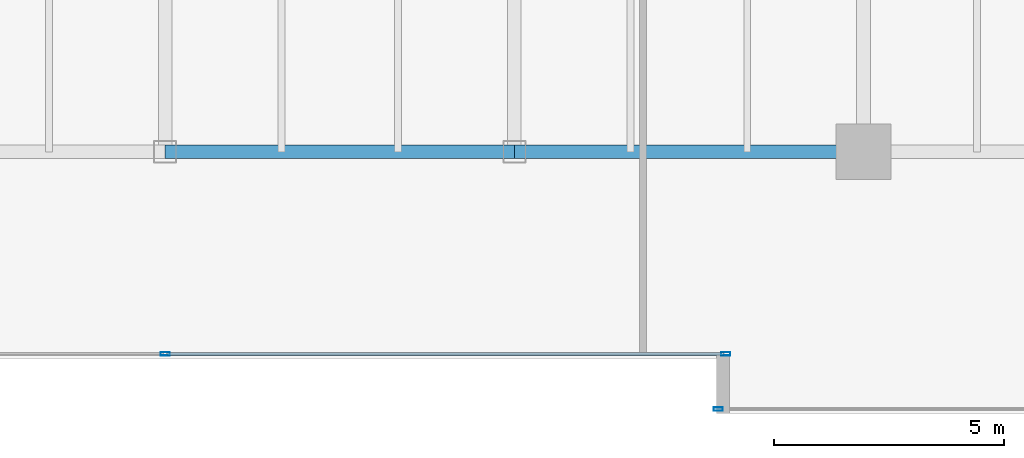
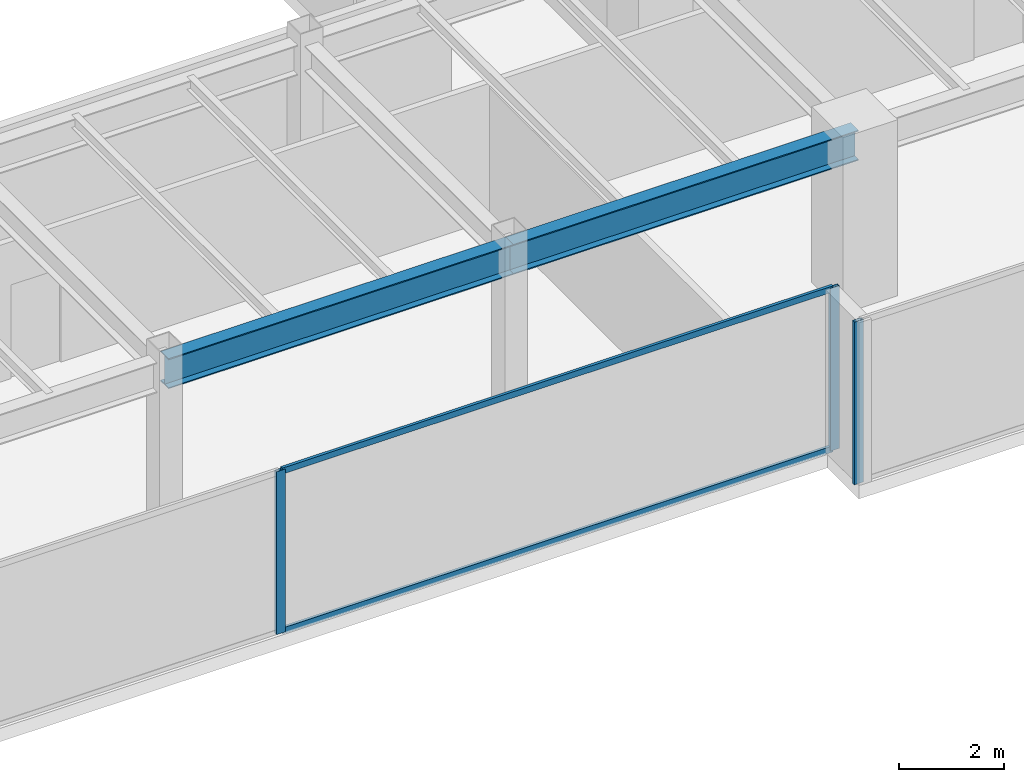
# One storey, part 10 of 31: 5 members, 2 beams, 2 elements without a shape of their own.
"""IFC4 building model written with IfcOpenShell, lengths in metres."""

from ifc_helpers import new_model, si_unit, direction, frame, origin, origin_2d, place, context, subcontext, project, spatial, hollow_rectangle, i_section, extrude, source, transform, mapped, material, layer, layer_set, material_profile, profile_set, type_object, type_shapes, element, aggregate, save


model = new_model("IFC4")

# Units and contexts
model_context = context("Model", 3, precision=1e-05, world=origin(), true_north=direction((0.0, 1.0)))
body_context = subcontext(model_context, "Body", "Model", "MODEL_VIEW")
ifc_project = project(units=[si_unit("LENGTHUNIT", "METRE"), si_unit("AREAUNIT", "SQUARE_METRE"), si_unit("VOLUMEUNIT", "CUBIC_METRE"), si_unit("PLANEANGLEUNIT", "RADIAN"), si_unit("MASSUNIT", "GRAM", prefix="KILO")], contexts=[model_context])

# Site, building, storey
site_placement = place(None, origin())
site = spatial("IfcSite", under=ifc_project, at=site_placement, CompositionType="ELEMENT")
building_placement = place(site_placement, origin())
building = spatial("IfcBuilding", under=site, at=building_placement, Name="Haelvirn Gate Laboratories", CompositionType="ELEMENT")
storey_placement = place(building_placement, frame((0.0, 0.0, 150.199951171875)))
storey = spatial("IfcBuildingStorey", under=building, at=storey_placement, Name="L36", CompositionType="ELEMENT", Elevation=150.199951171875)

# Beams
ifc_material_1 = material(Name="Steel SM355", Category="steel")
ifc_material_profile_1 = material_profile(ifc_material_1, i_section(OverallWidth=0.300048828125, OverallDepth=0.699951171875, WebThickness=0.012939453125, FlangeThickness=0.02392578125, at=origin_2d()), Name="H-700x300x13x24")
ifc_profile_set_1 = profile_set([ifc_material_profile_1], Name="Steel SM355")
beam_type = type_object("IfcBeamType", Name="BM-G-700", PredefinedType="BEAM", material=ifc_profile_set_1)
shared_shape_1 = source(origin(), body_context, "Body", "SweptSolid", [
    extrude(i_section(OverallWidth=0.300048828125, OverallDepth=0.699951171875, WebThickness=0.012939453125, FlangeThickness=0.02392578125, at=origin_2d()), origin(), (0.0, 0.0, 1.0), 7.60009765625),
])
type_shapes(beam_type, [shared_shape_1])
for number, where, z_axis, x_axis, name in (
    (1, (37.39990234375, 7.0, 3.43994140625), (1.0, 0.0, 0.0), (0.0, 1.0, 0.0), "L36 Primary Girder Y7.0 (37.4-45.0)"),
    (2, (45.0, 7.0, 3.43994140625), (1.0, 0.0, 0.0), (0.0, 1.0, 0.0), "L36 Primary Girder Y7.0 (45.0-52.6)"),
):
    element("IfcBeam", number, at=place(storey_placement, frame(where, z_axis=z_axis, x_axis=x_axis)), inside=storey, type_object=beam_type, Name=name, PredefinedType="BEAM", context=body_context, shape_type="MappedRepresentation", body=[
        mapped(shared_shape_1, transform((0.0, 0.0, 0.0), scale=1.0)),
    ])

# Curtain wall, members
ifc_material_2 = material(Name="Anodised bronze unitised aluminium & triple low-E glass", Category="aluminium")
ifc_layer = layer(ifc_material_2, 0.179931640625, Name="CW-SYS-3")
ifc_layer_set = layer_set([ifc_layer], Name="Anodised bronze unitised aluminium & triple low-E glass")
curtain_wall_type = type_object("IfcCurtainWallType", Name="CW-SYS-3", PredefinedType="NOTDEFINED", material=ifc_layer_set)
curtain_wall_1_placement = place(storey_placement, origin())
curtain_wall_1 = element("IfcCurtainWall", 3, at=curtain_wall_1_placement, inside=storey, type_object=curtain_wall_type, Name="L36 Unitised Curtain Wall CW-L36-P0-E02-1", PredefinedType="NOTDEFINED")
ifc_material_3 = material(Name="Extruded aluminium 6063-T6 (anodised bronze)", Category="aluminium")
ifc_material_profile_2 = material_profile(ifc_material_3, hollow_rectangle(XDim=0.06494140625, YDim=0.139892578125, WallThickness=0.00390625, at=origin_2d()), Name="CWT-140x65x4")
ifc_profile_set_2 = profile_set([ifc_material_profile_2], Name="Extruded aluminium 6063-T6 (anodised bronze)")
member_type_1 = type_object("IfcMemberType", Name="CWT-T140", PredefinedType="USERDEFINED", material=ifc_profile_set_2)
shared_shape_2 = source(origin(), body_context, "Body", "SweptSolid", [
    extrude(hollow_rectangle(XDim=0.06494140625, YDim=0.139892578125, WallThickness=0.00390625, at=origin_2d()), origin(), (0.0, 0.0, 1.0), 12.12744140625),
])
type_shapes(member_type_1, [shared_shape_2])
member_1_placement = place(storey_placement, frame((37.4375, 2.60009765625, 0.032470703125), z_axis=(1.0, 0.0, 0.0), x_axis=(0.0, 1.0, 0.0)))
member_1 = element("IfcMember", 4, at=member_1_placement, type_object=member_type_1, Name="CW3 transom 2.1", ObjectType="TRANSOM", PredefinedType="USERDEFINED", context=body_context, shape_type="MappedRepresentation", body=[
    mapped(shared_shape_2, transform((0.0, 0.0, 0.0), scale=1.0)),
])
member_2_placement = place(storey_placement, frame((37.4375, 2.60009765625, 3.757568359375), z_axis=(1.0, 0.0, 0.0), x_axis=(0.0, 1.0, 0.0)))
member_2 = element("IfcMember", 5, at=member_2_placement, type_object=member_type_1, Name="CW3 transom 2.2", ObjectType="TRANSOM", PredefinedType="USERDEFINED", context=body_context, shape_type="MappedRepresentation", body=[
    mapped(shared_shape_2, transform((0.0, 0.0, 0.0), scale=1.0)),
])
ifc_material_profile_3 = material_profile(ifc_material_3, hollow_rectangle(XDim=0.074951171875, YDim=0.199951171875, WallThickness=0.0048828125, at=origin_2d()), Name="CWM-200x75x5")
ifc_profile_set_3 = profile_set([ifc_material_profile_3], Name="Extruded aluminium 6063-T6 (anodised bronze)")
member_type_2 = type_object("IfcMemberType", Name="CWM-T200", PredefinedType="MULLION", material=ifc_profile_set_3)
shared_shape_3 = source(origin(), body_context, "Body", "SweptSolid", [
    extrude(hollow_rectangle(XDim=0.074951171875, YDim=0.199951171875, WallThickness=0.0048828125, at=origin_2d()), origin(), (0.0, 0.0, 1.0), 3.7900390625),
])
type_shapes(member_type_2, [shared_shape_3])
member_3_placement = place(storey_placement, frame((37.39990234375, 2.60009765625, 0.0), z_axis=(0.0, 0.0, 1.0), x_axis=(0.0, 1.0, 0.0)))
member_3 = element("IfcMember", 6, at=member_3_placement, type_object=member_type_2, Name="CW3 mullion 2", PredefinedType="MULLION", context=body_context, shape_type="MappedRepresentation", body=[
    mapped(shared_shape_3, transform((0.0, 0.0, 0.0), scale=1.0)),
])
member_4_placement = place(storey_placement, frame((49.6025390625, 2.60009765625, 0.0), z_axis=(0.0, 0.0, 1.0), x_axis=(0.0, 1.0, 0.0)))
member_4 = element("IfcMember", 7, at=member_4_placement, type_object=member_type_2, Name="CW3 mullion 3", PredefinedType="MULLION", context=body_context, shape_type="MappedRepresentation", body=[
    mapped(shared_shape_3, transform((0.0, 0.0, 0.0), scale=1.0)),
])
aggregate(curtain_wall_1, [member_3, member_4, member_1, member_2])

# Curtain wall, member
curtain_wall_2_placement = place(storey_placement, origin())
curtain_wall_2 = element("IfcCurtainWall", 8, at=curtain_wall_2_placement, inside=storey, type_object=curtain_wall_type, Name="L36 Unitised Curtain Wall CW-L36-P0-E04-1", PredefinedType="NOTDEFINED")
member_5_placement = place(storey_placement, frame((49.4375, 1.39990234375, 0.0), z_axis=(0.0, 0.0, 1.0), x_axis=(0.0, 1.0, 0.0)))
member_5 = element("IfcMember", 9, at=member_5_placement, type_object=member_type_2, Name="CW3 mullion 1", PredefinedType="MULLION", context=body_context, shape_type="MappedRepresentation", body=[
    mapped(shared_shape_3, transform((0.0, 0.0, 0.0), scale=1.0)),
])
aggregate(curtain_wall_2, [member_5])

save(model, "model.ifc")
